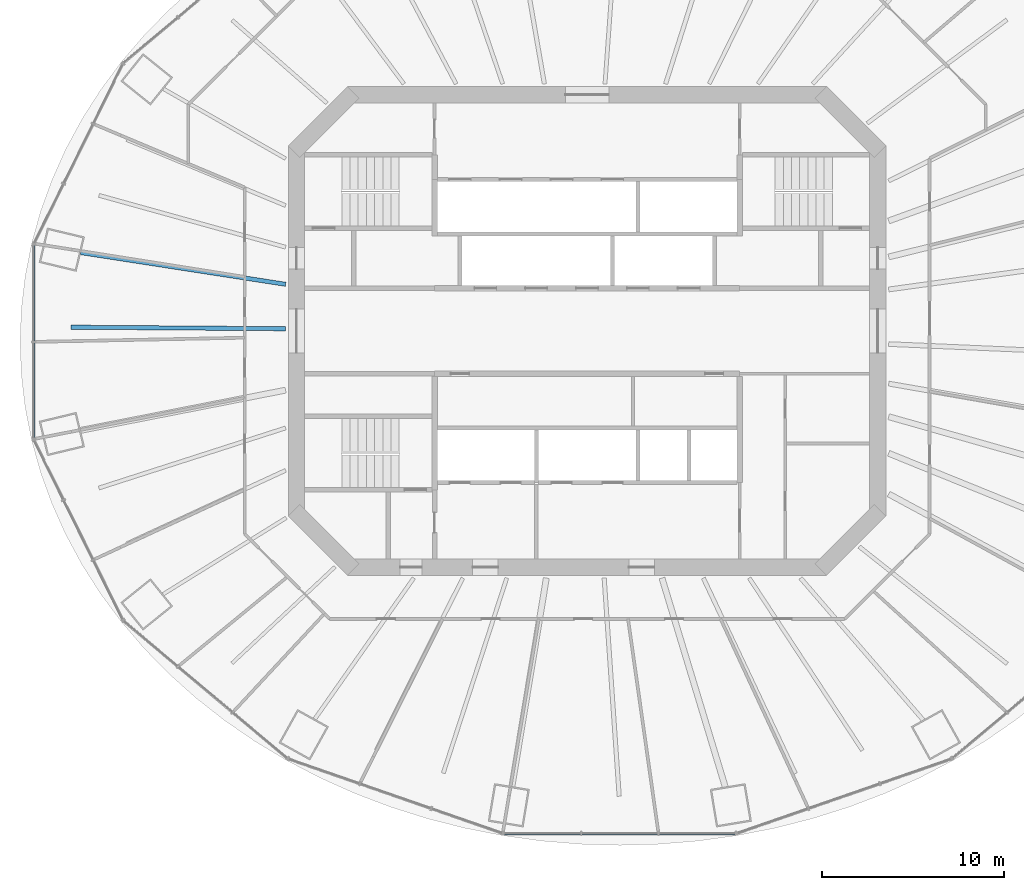
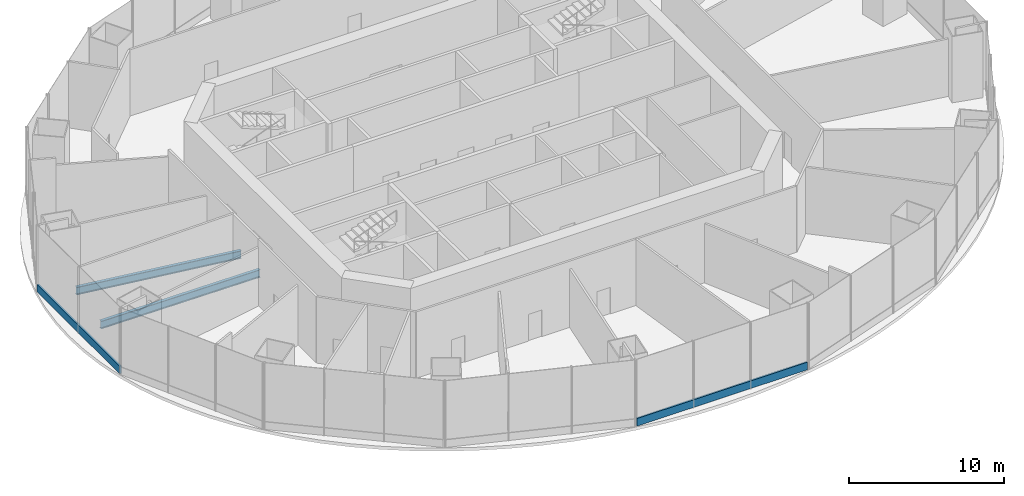
# One storey, part 3 of 15: 2 beams, 2 members, 2 elements without a shape of their own.
"""IFC4 building model written with IfcOpenShell, lengths in metres."""

from ifc_helpers import new_model, si_unit, direction, frame, origin, origin_2d, place, context, subcontext, project, spatial, rectangle, i_section, extrude, material, material_profile, profile_set, type_object, element, aggregate, save


model = new_model("IFC4")

# Units and contexts
model_context = context("Model", 3, precision=1e-05, world=origin(), true_north=direction((0.0, 1.0)))
body_context = subcontext(model_context, "Body", "Model", "MODEL_VIEW")
ifc_project = project(units=[si_unit("LENGTHUNIT", "METRE"), si_unit("AREAUNIT", "SQUARE_METRE"), si_unit("VOLUMEUNIT", "CUBIC_METRE"), si_unit("PLANEANGLEUNIT", "RADIAN"), si_unit("MASSUNIT", "GRAM", prefix="KILO")], contexts=[model_context])

# Site, building, storey
site_placement = place(None, origin())
site = spatial("IfcSite", under=ifc_project, at=site_placement, CompositionType="ELEMENT")
building_placement = place(site_placement, origin())
building = spatial("IfcBuilding", under=site, at=building_placement, Name="Marenthal Gate Tower", CompositionType="ELEMENT")
storey_placement = place(building_placement, frame((0.0, 0.0, 155.64990234375)))
storey = spatial("IfcBuildingStorey", under=building, at=storey_placement, Name="L33", CompositionType="ELEMENT", Elevation=155.64990234375)

# Curtain wall, member
ifc_material_1 = material(Name="Aluminium and glass", Category="aluminium")
curtain_wall_type = type_object("IfcCurtainWallType", Name="Curtain wall sky lobby", PredefinedType="NOTDEFINED", material=ifc_material_1)
curtain_wall_1_placement = place(storey_placement, origin())
curtain_wall_1 = element("IfcCurtainWall", 1, at=curtain_wall_1_placement, inside=storey, type_object=curtain_wall_type, Name="Curtain wall L33 bay 8", PredefinedType="NOTDEFINED")
ifc_material_2 = material(Name="Aluminium", Category="aluminium")
ifc_material_profile_1 = material_profile(ifc_material_2, rectangle(XDim=0.139892578125, YDim=0.60009765625, at=origin_2d()), Name="140x600 aluminium transom")
ifc_profile_set_1 = profile_set([ifc_material_profile_1], Name="Aluminium")
member_type = type_object("IfcMemberType", Name="Transom 140x600 sky lobby", PredefinedType="USERDEFINED", material=ifc_profile_set_1)
member_1_placement = place(storey_placement, frame((-30.466796875, 4.718017578125, 0.300048828125), z_axis=(0.0, -1.0, 0.0), x_axis=(1.0, 0.0, 0.0)))
member_1 = element("IfcMember", 2, at=member_1_placement, type_object=member_type, Name="Transom L33 bay 8", ObjectType="TRANSOM", PredefinedType="USERDEFINED", context=body_context, shape_type="SweptSolid", body=[
    extrude(rectangle(XDim=0.139892578125, YDim=0.60009765625, at=origin_2d()), origin(), (0.0, 0.0, 1.0), 10.635986328125),
])
aggregate(curtain_wall_1, [member_1])

curtain_wall_2_placement = place(storey_placement, origin())
curtain_wall_2 = element("IfcCurtainWall", 3, at=curtain_wall_2_placement, inside=storey, type_object=curtain_wall_type, Name="Curtain wall L33 bay 12", PredefinedType="NOTDEFINED")
member_2_placement = place(storey_placement, frame((-4.55322265625, -27.661865234375, 0.300048828125), z_axis=(1.0, 0.0, 0.0), x_axis=(0.0, 1.0, 0.0)))
member_2 = element("IfcMember", 4, at=member_2_placement, type_object=member_type, Name="Transom L33 bay 12", ObjectType="TRANSOM", PredefinedType="USERDEFINED", context=body_context, shape_type="SweptSolid", body=[
    extrude(rectangle(XDim=0.139892578125, YDim=0.60009765625, at=origin_2d()), origin(), (0.0, 0.0, 1.0), 12.70654296875),
])
aggregate(curtain_wall_2, [member_2])

# Beams
ifc_material_3 = material(Name="Steel S355", Category="steel")
ifc_material_profile_2 = material_profile(ifc_material_3, i_section(OverallWidth=0.22900390625, OverallDepth=0.612060546875, WebThickness=0.011962890625, FlangeThickness=0.01953125, FilletRadius=0.0126953125, at=origin_2d()), Name="W610X125")
ifc_profile_set_2 = profile_set([ifc_material_profile_2], Name="Steel S355")
beam_type = type_object("IfcBeamType", Name="W610X125 beam", PredefinedType="BEAM", material=ifc_profile_set_2)
beam_1_placement = place(storey_placement, frame((-27.876220703125, 4.313720703125, -0.555908203125), z_axis=(0.988235255619, -0.152941425231, 0.0), x_axis=(0.152941425231, 0.988235255619, 0.0)))
element("IfcBeam", 5, at=beam_1_placement, inside=storey, type_object=beam_type, Name="BM-L33-08", PredefinedType="BEAM", context=body_context, shape_type="SweptSolid", body=[
    extrude(i_section(OverallWidth=0.22900390625, OverallDepth=0.612060546875, WebThickness=0.011962890625, FlangeThickness=0.01953125, FilletRadius=0.0126953125, at=origin_2d()), origin(), (0.0, 0.0, 1.0), 11.410400390625),
])
beam_2_placement = place(storey_placement, frame((-28.417236328125, 0.208251953125, -0.555908203125), z_axis=(0.999973105428, -0.007334058889, 0.0), x_axis=(0.007334058889, 0.999973105428, 0.0)))
element("IfcBeam", 6, at=beam_2_placement, inside=storey, type_object=beam_type, Name="BM-L33-28", PredefinedType="BEAM", context=body_context, shape_type="SweptSolid", body=[
    extrude(i_section(OverallWidth=0.22900390625, OverallDepth=0.612060546875, WebThickness=0.011962890625, FlangeThickness=0.01953125, FilletRadius=0.0126953125, at=origin_2d()), origin(), (0.0, 0.0, 1.0), 11.8173828125),
])

save(model, "model.ifc")
